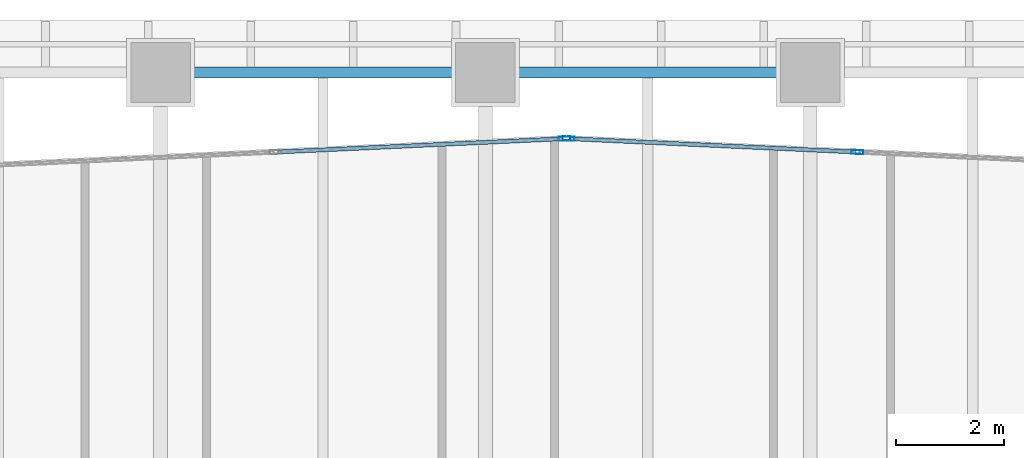
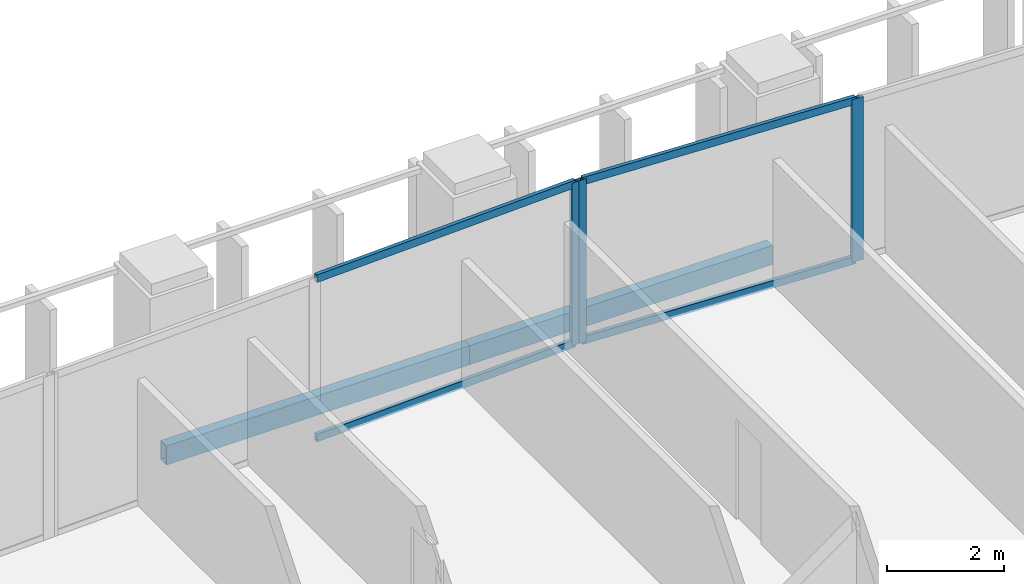
# One storey, part 13 of 32: 7 members, 2 beams, 2 elements without a shape of their own.
"""IFC4 building model written with IfcOpenShell, lengths in metres."""

from ifc_helpers import new_model, si_unit, direction, frame, origin, origin_2d, place, context, subcontext, project, spatial, hollow_rectangle, extrude, material, layer, layer_set, material_profile, profile_set, type_object, element, aggregate, save


model = new_model("IFC4")

# Units and contexts
model_context = context("Model", 3, precision=1e-05, world=origin(), true_north=direction((0.0, 1.0)))
body_context = subcontext(model_context, "Body", "Model", "MODEL_VIEW")
ifc_project = project(units=[si_unit("LENGTHUNIT", "METRE"), si_unit("AREAUNIT", "SQUARE_METRE"), si_unit("VOLUMEUNIT", "CUBIC_METRE"), si_unit("PLANEANGLEUNIT", "RADIAN"), si_unit("MASSUNIT", "GRAM", prefix="KILO")], contexts=[model_context])

# Site, building, storey
site_placement = place(None, origin())
site = spatial("IfcSite", under=ifc_project, at=site_placement, CompositionType="ELEMENT")
building_placement = place(site_placement, origin())
building = spatial("IfcBuilding", under=site, at=building_placement, Name="Tanjung Sevakor Pilgrim Tower", CompositionType="ELEMENT")
storey_placement = place(building_placement, frame((0.0, 0.0, 62.3701171875)))
storey = spatial("IfcBuildingStorey", under=building, at=storey_placement, Name="L17", CompositionType="ELEMENT", Elevation=62.3701171875)

# Beams
ifc_material_1 = material(Name="Steel S355J2", Category="steel")
ifc_material_profile_1 = material_profile(ifc_material_1, hollow_rectangle(XDim=0.199951171875, YDim=0.39990234375, WallThickness=0.01611328125, at=origin_2d()))
ifc_profile_set_1 = profile_set([ifc_material_profile_1], Name="Steel S355J2")
beam_type = type_object("IfcBeamType", Name="BM-B-SP2-RHS_400x200x16", PredefinedType="SPANDREL", material=ifc_profile_set_1)
for number, where, z_axis, x_axis, name in (
    (1, (66.0, 58.800048828125, -0.420166015625), (1.0, 0.0, 0.0), (0.0, 1.0, 0.0), "L17 Spandrel MAIN N-12"),
    (2, (72.0, 58.800048828125, -0.420166015625), (1.0, 0.0, 0.0), (0.0, 1.0, 0.0), "L17 Spandrel MAIN N-14"),
):
    element("IfcBeam", number, at=place(storey_placement, frame(where, z_axis=z_axis, x_axis=x_axis)), inside=storey, type_object=beam_type, Name=name, PredefinedType="SPANDREL", context=body_context, shape_type="SweptSolid", body=[
        extrude(hollow_rectangle(XDim=0.199951171875, YDim=0.39990234375, WallThickness=0.01611328125, at=origin_2d()), origin(), (0.0, 0.0, 1.0), 6.0),
    ])

# Curtain wall, members
ifc_material_2 = material(Name="Aluminium 6063-T6 and Low-E Glass", Category="aluminium")
ifc_layer = layer(ifc_material_2, 0.199951171875)
ifc_layer_set = layer_set([ifc_layer], Name="CW-SYS-PRAY")
curtain_wall_type = type_object("IfcCurtainWallType", Name="CW-SYS-PRAY", PredefinedType="NOTDEFINED", material=ifc_layer_set)
curtain_wall_1_placement = place(storey_placement, origin())
curtain_wall_1 = element("IfcCurtainWall", 3, at=curtain_wall_1_placement, inside=storey, type_object=curtain_wall_type, Name="L17 Curtain Wall CW-PRY-L17-21", PredefinedType="NOTDEFINED")
ifc_material_3 = material(Name="Aluminium 6063-T6", Category="aluminium")
ifc_material_profile_2 = material_profile(ifc_material_3, hollow_rectangle(XDim=0.074951171875, YDim=0.219970703125, WallThickness=0.0048828125, at=origin_2d()))
ifc_profile_set_2 = profile_set([ifc_material_profile_2], Name="Aluminium 6063-T6")
member_type_1 = type_object("IfcMemberType", Name="TYPE-CWM-2", PredefinedType="MULLION", material=ifc_profile_set_2)
member_1_placement = place(storey_placement, frame((78.871826171875, 57.330078125, 0.0), z_axis=(0.0, 0.0, 1.0), x_axis=(-0.046452337274, -0.998920507529, 0.0)))
member_1 = element("IfcMember", 4, at=member_1_placement, type_object=member_type_1, Name="CW-PRY mullion 2", PredefinedType="MULLION", context=body_context, shape_type="SweptSolid", body=[
    extrude(hollow_rectangle(XDim=0.074951171875, YDim=0.219970703125, WallThickness=0.0048828125, at=origin_2d()), origin(), (0.0, 0.0, 1.0), 3.409912109375),
])
member_2_placement = place(storey_placement, frame((73.537353515625, 57.578125, 0.0), z_axis=(0.0, 0.0, 1.0), x_axis=(-0.046452337274, -0.998920507529, 0.0)))
member_2 = element("IfcMember", 5, at=member_2_placement, type_object=member_type_1, Name="CW-PRY mullion 3", PredefinedType="MULLION", context=body_context, shape_type="SweptSolid", body=[
    extrude(hollow_rectangle(XDim=0.074951171875, YDim=0.219970703125, WallThickness=0.0048828125, at=origin_2d()), origin(), (0.0, 0.0, 1.0), 3.409912109375),
])

# Curtain wall, member
curtain_wall_2_placement = place(storey_placement, origin())
curtain_wall_2 = element("IfcCurtainWall", 6, at=curtain_wall_2_placement, inside=storey, type_object=curtain_wall_type, Name="L17 Curtain Wall CW-PRY-L17-22", PredefinedType="NOTDEFINED")
member_3_placement = place(storey_placement, frame((73.462646484375, 57.578125, 0.0), z_axis=(0.0, 0.0, 1.0), x_axis=(0.046452337274, -0.998920507529, 0.0)))
member_3 = element("IfcMember", 7, at=member_3_placement, type_object=member_type_1, Name="CW-PRY mullion 1", PredefinedType="MULLION", context=body_context, shape_type="SweptSolid", body=[
    extrude(hollow_rectangle(XDim=0.074951171875, YDim=0.219970703125, WallThickness=0.0048828125, at=origin_2d()), origin(), (0.0, 0.0, 1.0), 3.409912109375),
])

# Member
ifc_material_4 = material(Name="Aluminium 6063-T6", Category="aluminium")
ifc_material_profile_3 = material_profile(ifc_material_4, hollow_rectangle(XDim=0.074951171875, YDim=0.159912109375, WallThickness=0.00439453125, at=origin_2d()))
ifc_profile_set_3 = profile_set([ifc_material_profile_3], Name="Aluminium 6063-T6")
member_type_2 = type_object("IfcMemberType", Name="TYPE-CWT-2", PredefinedType="USERDEFINED", material=ifc_profile_set_3)
member_4_placement = place(storey_placement, frame((78.834228515625, 57.331787109375, 0.037353515625), z_axis=(-0.998919985977, 0.046463551478, 0.0), x_axis=(-0.046463551478, -0.998919985977, 0.0)))
member_4 = element("IfcMember", 8, at=member_4_placement, type_object=member_type_2, Name="CW-PRY transom 2.1", ObjectType="TRANSOM", PredefinedType="USERDEFINED", context=body_context, shape_type="SweptSolid", body=[
    extrude(hollow_rectangle(XDim=0.074951171875, YDim=0.159912109375, WallThickness=0.00439453125, at=origin_2d()), origin(), (0.0, 0.0, 1.0), 5.264892578125),
])

member_5_placement = place(storey_placement, frame((78.834228515625, 57.331787109375, 3.372314453125), z_axis=(-0.998919985977, 0.046463551478, 0.0), x_axis=(-0.046463551478, -0.998919985977, 0.0)))
member_5 = element("IfcMember", 9, at=member_5_placement, type_object=member_type_2, Name="CW-PRY transom 2.2", ObjectType="TRANSOM", PredefinedType="USERDEFINED", context=body_context, shape_type="SweptSolid", body=[
    extrude(hollow_rectangle(XDim=0.074951171875, YDim=0.159912109375, WallThickness=0.00439453125, at=origin_2d()), origin(), (0.0, 0.0, 1.0), 5.264892578125),
])

aggregate(curtain_wall_1, [member_1, member_2, member_4, member_5])

member_6_placement = place(storey_placement, frame((73.425048828125, 57.576416015625, 0.037353515625), z_axis=(-0.998919985977, -0.046463551478, 0.0), x_axis=(0.046463551478, -0.998919985977, 0.0)))
member_6 = element("IfcMember", 10, at=member_6_placement, type_object=member_type_2, Name="CW-PRY transom 1.1", ObjectType="TRANSOM", PredefinedType="USERDEFINED", context=body_context, shape_type="SweptSolid", body=[
    extrude(hollow_rectangle(XDim=0.074951171875, YDim=0.159912109375, WallThickness=0.00439453125, at=origin_2d()), origin(), (0.0, 0.0, 1.0), 5.264892578125),
])

member_7_placement = place(storey_placement, frame((73.425048828125, 57.576416015625, 3.372314453125), z_axis=(-0.998919985977, -0.046463551478, 0.0), x_axis=(0.046463551478, -0.998919985977, 0.0)))
member_7 = element("IfcMember", 11, at=member_7_placement, type_object=member_type_2, Name="CW-PRY transom 1.2", ObjectType="TRANSOM", PredefinedType="USERDEFINED", context=body_context, shape_type="SweptSolid", body=[
    extrude(hollow_rectangle(XDim=0.074951171875, YDim=0.159912109375, WallThickness=0.00439453125, at=origin_2d()), origin(), (0.0, 0.0, 1.0), 5.264892578125),
])

aggregate(curtain_wall_2, [member_3, member_6, member_7])

save(model, "model.ifc")
